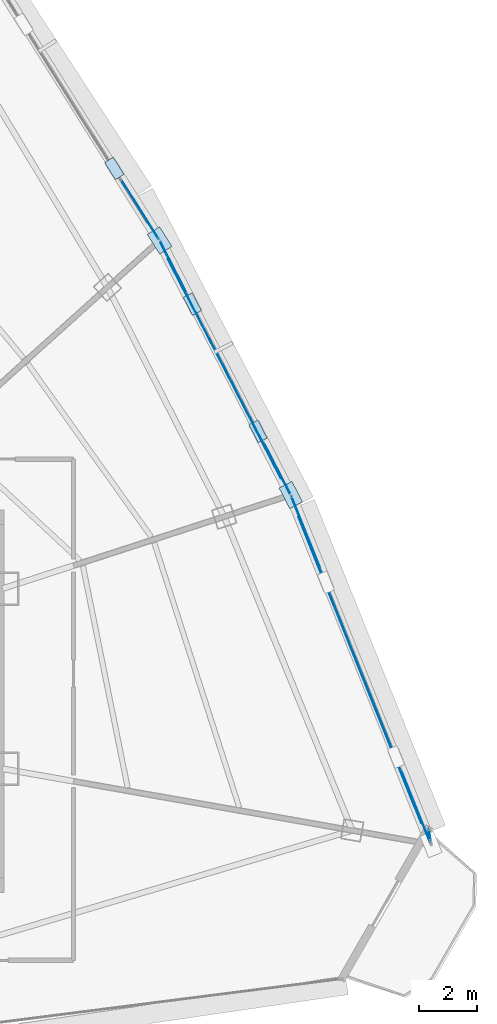
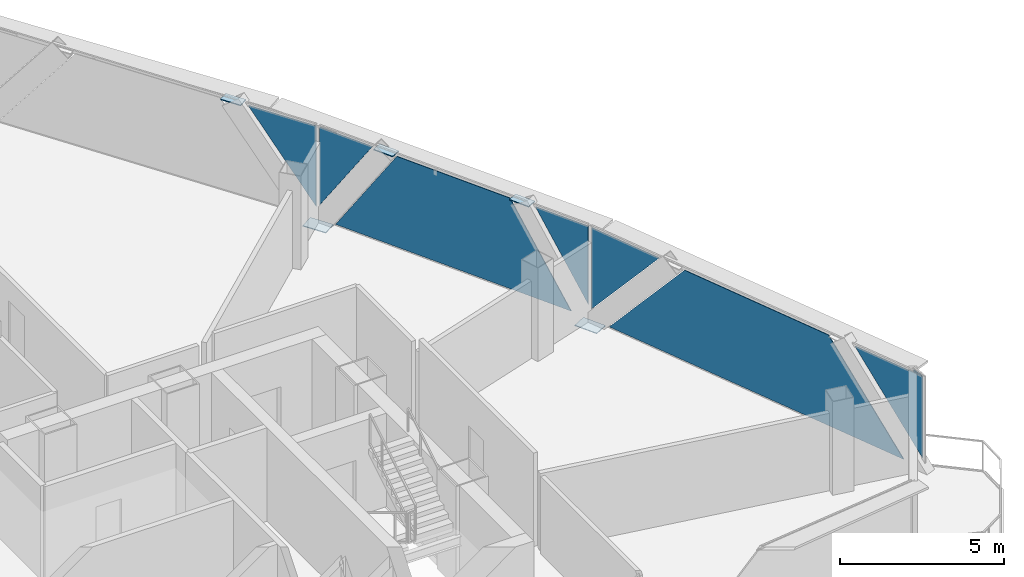
# One storey, part 24 of 30: 13 plates, 4 elements without a shape of their own.
"""IFC4 building model written with IfcOpenShell, lengths in metres."""

from ifc_helpers import new_model, si_unit, direction, frame, origin, origin_2d, place, context, subcontext, project, spatial, polyline, rectangle, outline, extrude, source, transform, mapped, material, layer, layer_set, type_object, element, aggregate, save


model = new_model("IFC4")

# Units and contexts
model_context = context("Model", 3, precision=1e-05, world=origin(), true_north=direction((0.0, 1.0)))
body_context = subcontext(model_context, "Body", "Model", "MODEL_VIEW")
ifc_project = project(units=[si_unit("LENGTHUNIT", "METRE"), si_unit("AREAUNIT", "SQUARE_METRE"), si_unit("VOLUMEUNIT", "CUBIC_METRE"), si_unit("PLANEANGLEUNIT", "RADIAN"), si_unit("MASSUNIT", "GRAM", prefix="KILO"), si_unit("THERMODYNAMICTEMPERATUREUNIT", "KELVIN"), si_unit("POWERUNIT", "WATT")], contexts=[model_context])

# Site, building, storey
site_placement = place(None, origin())
site = spatial("IfcSite", under=ifc_project, at=site_placement, CompositionType="ELEMENT")
building_placement = place(site_placement, origin())
building = spatial("IfcBuilding", under=site, at=building_placement, Name="Yunzhuo Pagoda Commons", CompositionType="ELEMENT")
storey_placement = place(building_placement, frame((0.0, 0.0, 351.760009765625)))
storey = spatial("IfcBuildingStorey", under=building, at=storey_placement, Name="L88", CompositionType="ELEMENT", Elevation=351.760009765625)

# Curtain wall, plates
ifc_material_1 = material(Name="Anodized aluminium 6063-T6", Category="aluminium")
ifc_layer_1 = layer(ifc_material_1, 0.139892578125)
ifc_layer_set_1 = layer_set([ifc_layer_1], Name="Anodized aluminium 6063-T6")
curtain_wall_type = type_object("IfcCurtainWallType", Name="CW-HI High-Zone Ribbon Curtain Wall", PredefinedType="NOTDEFINED", material=ifc_layer_set_1)
curtain_wall_1_placement = place(storey_placement, origin())
curtain_wall_1 = element("IfcCurtainWall", 1, at=curtain_wall_1_placement, inside=storey, type_object=curtain_wall_type, Name="L88 curtain wall CW-L88-F2B2", PredefinedType="NOTDEFINED")
ifc_material_2 = material(Name="Tempered low-e double glazing", Category="glass")
ifc_layer_2 = layer(ifc_material_2, 0.02587890625)
ifc_layer_set_2 = layer_set([ifc_layer_2], Name="Tempered low-e double glazing")
plate_type_1 = type_object("IfcPlateType", Name="CW-HI-P Low-E Double Glazing 26", PredefinedType="CURTAIN_PANEL", material=ifc_layer_set_2)
plate_1_placement = place(storey_placement, frame((74.6669921875, 30.1796875, 1.912353515625), z_axis=(0.92803921175, 0.372482511608, 0.0), x_axis=(-0.372482511608, 0.92803921175, 0.0)))
plate_1 = element("IfcPlate", 2, at=plate_1_placement, type_object=plate_type_1, Name="CW panel 1.1 lite 1", PredefinedType="CURTAIN_PANEL", context=body_context, shape_type="SweptSolid", body=[
    extrude(outline(polyline([(-1.31884765625, -1.522705078125), (1.31884765625, 1.522705078125), (-1.31884765625, 1.522705078125), (-1.31884765625, -1.522705078125)])), origin(), (0.0, 0.0, 1.0), 0.028076171875),
])
plate_2_placement = place(storey_placement, frame((72.73291015625, 34.91796875, 1.744873046875), z_axis=(0.92803921175, 0.372482511608, 0.0), x_axis=(-0.372482511608, 0.92803921175, 0.0)))
plate_2 = element("IfcPlate", 3, at=plate_2_placement, type_object=plate_type_1, Name="CW panel 1.1 lite 2", PredefinedType="CURTAIN_PANEL", context=body_context, shape_type="SweptSolid", body=[
    extrude(outline(polyline([(-5.720947265625, -1.68994140625), (5.720947265625, -1.68994140625), (2.793212890625, 1.68994140625), (-2.793212890625, 1.68994140625), (-5.720947265625, -1.68994140625)])), origin(), (0.0, 0.0, 1.0), 0.028076171875),
])
plate_3_placement = place(storey_placement, frame((70.8544921875, 39.678466796875, 1.912353515625), z_axis=(0.92803921175, 0.372482511608, 0.0), x_axis=(-0.372482511608, 0.92803921175, 0.0)))
plate_3 = element("IfcPlate", 4, at=plate_3_placement, type_object=plate_type_1, Name="CW panel 1.1 lite 3", PredefinedType="CURTAIN_PANEL", context=body_context, shape_type="SweptSolid", body=[
    extrude(outline(polyline([(-1.31884765625, 1.522705078125), (1.31884765625, -1.522705078125), (1.31884765625, 1.522705078125), (-1.31884765625, 1.522705078125)])), origin(), (0.0, 0.0, 1.0), 0.028076171875),
])
aggregate(curtain_wall_1, [plate_1, plate_2, plate_3])

curtain_wall_2_placement = place(storey_placement, origin())
curtain_wall_2 = element("IfcCurtainWall", 5, at=curtain_wall_2_placement, inside=storey, type_object=curtain_wall_type, Name="L88 curtain wall CW-L88-F2B3", PredefinedType="NOTDEFINED")
plate_4_placement = place(storey_placement, frame((69.8740234375, 41.863525390625, 1.978271484375), z_axis=(0.888845723113, 0.458206591511, 0.0), x_axis=(-0.458206591511, 0.888845723113, 0.0)))
plate_4 = element("IfcPlate", 6, at=plate_4_placement, type_object=plate_type_1, Name="CW panel 1.1 lite 1", PredefinedType="CURTAIN_PANEL", context=body_context, shape_type="SweptSolid", body=[
    extrude(outline(polyline([(-0.9599609375, -1.456787109375), (0.9599609375, 1.456787109375), (-0.9599609375, 1.456787109375), (-0.9599609375, -1.456787109375)])), origin(), (0.0, 0.0, 1.0), 0.028076171875),
])
plate_5_placement = place(storey_placement, frame((68.050048828125, 45.336181640625, 1.744873046875), z_axis=(0.888845723113, 0.458206591511, 0.0), x_axis=(-0.458206591511, 0.888845723113, 0.0)))
plate_5 = element("IfcPlate", 7, at=plate_5_placement, type_object=plate_type_1, Name="CW panel 1.1 lite 2", PredefinedType="CURTAIN_PANEL", context=body_context, shape_type="SweptSolid", body=[
    extrude(outline(polyline([(-4.27978515625, -1.68994140625), (4.27978515625, -1.68994140625), (2.052490234375, 1.68994140625), (-2.052490234375, 1.68994140625), (-4.27978515625, -1.68994140625)])), origin(), (0.0, 0.0, 1.0), 0.028076171875),
])
plate_6_placement = place(storey_placement, frame((66.279296875, 48.83642578125, 1.978271484375), z_axis=(0.888845723113, 0.458206591511, 0.0), x_axis=(-0.458206591511, 0.888845723113, 0.0)))
plate_6 = element("IfcPlate", 8, at=plate_6_placement, type_object=plate_type_1, Name="CW panel 1.1 lite 3", PredefinedType="CURTAIN_PANEL", context=body_context, shape_type="SweptSolid", body=[
    extrude(outline(polyline([(-0.9599609375, 1.456787109375), (0.9599609375, -1.456787109375), (0.9599609375, 1.456787109375), (-0.9599609375, 1.456787109375)])), origin(), (0.0, 0.0, 1.0), 0.028076171875),
])
aggregate(curtain_wall_2, [plate_4, plate_5, plate_6])

# Curtain wall, plate
curtain_wall_3_placement = place(storey_placement, origin())
curtain_wall_3 = element("IfcCurtainWall", 9, at=curtain_wall_3_placement, inside=storey, type_object=curtain_wall_type, Name="L88 curtain wall CW-L88-F2B4", PredefinedType="NOTDEFINED")
plate_7_placement = place(storey_placement, frame((65.155029296875, 50.787353515625, 1.93408203125), z_axis=(0.846524621891, 0.532349569861, 0.0), x_axis=(-0.532349569861, 0.846524621891, 0.0)))
plate_7 = element("IfcPlate", 10, at=plate_7_placement, type_object=plate_type_1, Name="CW panel 1.1 lite 1", PredefinedType="CURTAIN_PANEL", context=body_context, shape_type="SweptSolid", body=[
    extrude(outline(polyline([(-1.17529296875, -1.5009765625), (1.17529296875, 1.5009765625), (-1.17529296875, 1.5009765625), (-1.17529296875, -1.5009765625)])), origin(), (0.0, 0.0, 1.0), 0.028076171875),
])
aggregate(curtain_wall_3, [plate_7])

curtain_wall_4_placement = place(storey_placement, origin())
curtain_wall_4 = element("IfcCurtainWall", 11, at=curtain_wall_4_placement, inside=storey, type_object=curtain_wall_type, Name="L88 curtain wall CW-L88-F2B1", PredefinedType="NOTDEFINED")
plate_8_placement = place(storey_placement, frame((75.158447265625, 29.228515625, 1.96240234375), z_axis=(-0.988629179637, -0.150374017607, 0.0), x_axis=(0.150374017607, -0.988629179637, 0.0)))
plate_8 = element("IfcPlate", 12, at=plate_8_placement, type_object=plate_type_1, Name="CW panel 1.1 lite 1", PredefinedType="CURTAIN_PANEL", context=body_context, shape_type="SweptSolid", body=[
    extrude(outline(polyline([(-0.18994140625, -1.02197265625), (0.18994140625, -1.472900390625), (0.18994140625, 1.47265625), (-0.18994140625, 1.47265625), (-0.18994140625, -1.02197265625)])), origin(), (0.0, 0.0, 1.0), 0.028076171875),
])
aggregate(curtain_wall_4, [plate_8])

# Plates
ifc_material_3 = material(Name="Structural steel Q355B", Category="steel")
ifc_layer_3 = layer(ifc_material_3, 0.028076171875)
ifc_layer_set_3 = layer_set([ifc_layer_3], Name="Structural steel Q355B")
plate_type_2 = type_object("IfcPlateType", Name="SP-ND1 Lattice Node Cap Plate 800x500x28", PredefinedType="USERDEFINED", material=ifc_layer_set_3)
shared_shape_1 = source(origin(), body_context, "Body", "SweptSolid", [
    extrude(rectangle(XDim=0.800048828125, YDim=0.5, at=origin_2d()), origin(), (0.0, 0.0, 1.0), 0.028076171875),
])
for number, where, z_axis, x_axis, name in (
    (13, (70.353759765625, 40.963134765625, -0.27392578125), (0.0, 0.0, 1.0), (-0.458199726156, 0.888849262221, 0.0), "L88 diamond node plate F2.2A"),
    (14, (65.824462890625, 49.749267578125, -0.27392578125), (0.0, 0.0, 1.0), (-0.532344492073, 0.846527815113, 0.0), "L88 diamond node plate F2.3A"),
):
    element("IfcPlate", number, at=place(storey_placement, frame(where, z_axis=z_axis, x_axis=x_axis)), inside=storey, type_object=plate_type_2, Name=name, ObjectType="STIFFENER_PLATE", PredefinedType="USERDEFINED", context=body_context, shape_type="MappedRepresentation", body=[
        mapped(shared_shape_1, transform((0.0, 0.0, 0.0), scale=1.0)),
    ])
shared_shape_2 = source(origin(), body_context, "Body", "SweptSolid", [
    extrude(rectangle(XDim=0.699951171875, YDim=0.35009765625, at=origin_2d()), origin(), (0.0, 0.0, 1.0), 0.035888671875),
])
for number, where, z_axis, x_axis, name in (
    (15, (69.221435546875, 43.15966796875, 3.4521484375), (0.0, 0.0, 1.0), (-0.458199726156, 0.888849262221, 0.0), "L88 setback lattice tie plate F2.2L"),
    (16, (66.956787109375, 47.552734375, 3.4521484375), (0.0, 0.0, 1.0), (-0.458199726156, 0.888849262221, 0.0), "L88 setback lattice tie plate F2.2R"),
    (17, (64.261474609375, 52.23486328125, 3.4521484375), (0.0, 0.0, 1.0), (-0.532344492073, 0.846527815113, 0.0), "L88 setback lattice tie plate F2.3L"),
):
    element("IfcPlate", number, at=place(storey_placement, frame(where, z_axis=z_axis, x_axis=x_axis)), inside=storey, type_object=plate_type_2, Name=name, ObjectType="STIFFENER_PLATE", PredefinedType="USERDEFINED", context=body_context, shape_type="MappedRepresentation", body=[
        mapped(shared_shape_2, transform((0.0, 0.0, 0.0), scale=1.0)),
    ])

save(model, "model.ifc")
